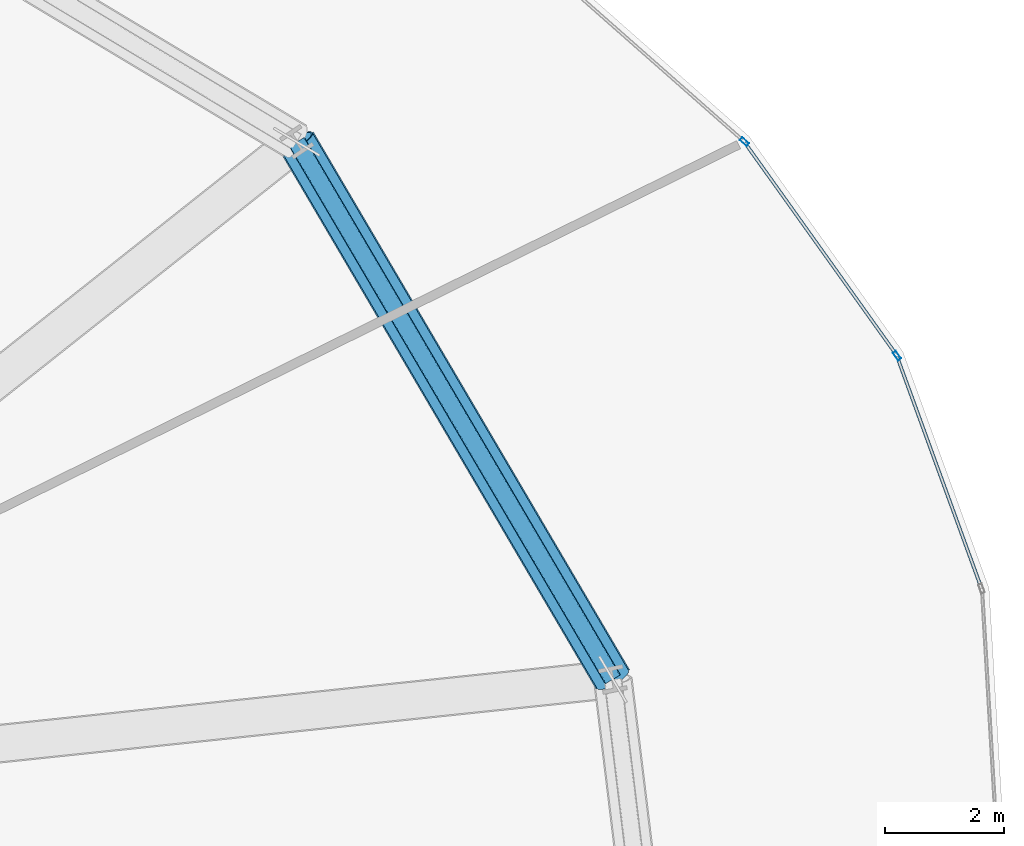
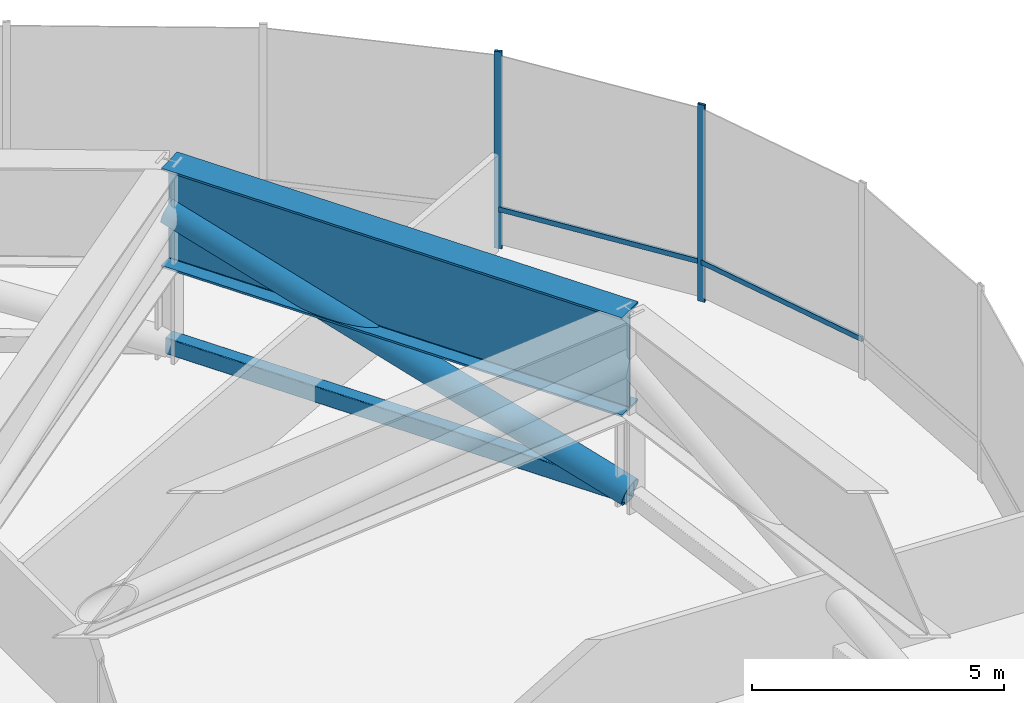
# One storey, part 23 of 33: 6 members, 1 beam, 1 element without a shape of its own.
"""IFC4 building model written with IfcOpenShell, lengths in metres."""

from ifc_helpers import new_model, si_unit, direction, frame, origin, origin_2d, place, context, subcontext, project, spatial, hollow_rectangle, hollow_circle, i_section, extrude, source, transform, mapped, material, layer, layer_set, material_profile, profile_set, type_object, element, aggregate, save


model = new_model("IFC4")

# Units and contexts
model_context = context("Model", 3, precision=1e-05, world=origin(), true_north=direction((0.0, 1.0)))
body_context = subcontext(model_context, "Body", "Model", "MODEL_VIEW")
ifc_project = project(units=[si_unit("LENGTHUNIT", "METRE"), si_unit("AREAUNIT", "SQUARE_METRE"), si_unit("VOLUMEUNIT", "CUBIC_METRE"), si_unit("PLANEANGLEUNIT", "RADIAN"), si_unit("MASSUNIT", "GRAM", prefix="KILO"), si_unit("THERMODYNAMICTEMPERATUREUNIT", "KELVIN")], contexts=[model_context])

# Site, building, storey
site_placement = place(None, origin())
site = spatial("IfcSite", under=ifc_project, at=site_placement, CompositionType="ELEMENT")
building_placement = place(site_placement, origin())
building = spatial("IfcBuilding", under=site, at=building_placement, Name="Kethvar Cultural Tower", CompositionType="ELEMENT")
storey_placement = place(building_placement, frame((0.0, 0.0, 80.39990234375)))
storey = spatial("IfcBuildingStorey", under=building, at=storey_placement, Name="L19", CompositionType="ELEMENT", Elevation=80.39990234375)

# Beam
ifc_material_1 = material(Name="Steel S460M", Category="steel")
ifc_material_profile_1 = material_profile(ifc_material_1, i_section(OverallWidth=0.64990234375, OverallDepth=2.39990234375, WebThickness=0.030029296875, FlangeThickness=0.048095703125, FilletRadius=0.02197265625, at=origin_2d()), Name="Steel S460M — PG2400x650x48x30")
ifc_profile_set_1 = profile_set([ifc_material_profile_1], Name="Steel S460M — PG2400x650x48x30")
beam_type = type_object("IfcBeamType", Name="BM-TR2400", PredefinedType="BEAM", material=ifc_profile_set_1)
shared_shape_1 = source(origin(), body_context, "Body", "SweptSolid", [
    extrude(i_section(OverallWidth=0.64990234375, OverallDepth=2.39990234375, WebThickness=0.030029296875, FlangeThickness=0.048095703125, FilletRadius=0.02197265625, at=origin_2d()), origin(), (0.0, 0.0, 1.0), 10.496337890625),
])
beam_placement = place(storey_placement, frame((73.65673828125, 33.14208984375, 3.55810546875), z_axis=(-0.506871712474, 0.862021500366, 0.0), x_axis=(-0.862021500366, -0.506871712474, 0.0)))
element("IfcBeam", 1, at=beam_placement, inside=storey, type_object=beam_type, Name="L19 Ring Belt Girder BG-01", PredefinedType="BEAM", context=body_context, shape_type="MappedRepresentation", body=[
    mapped(shared_shape_1, transform((0.0, 0.0, 0.0), scale=1.0)),
])

# Members
ifc_material_profile_2 = material_profile(ifc_material_1, hollow_rectangle(XDim=0.300048828125, YDim=0.39990234375, WallThickness=0.01611328125, InnerFilletRadius=0.01611328125, OuterFilletRadius=0.031982421875, at=origin_2d()), Name="Steel S460M — RHS400x300x16")
ifc_profile_set_2 = profile_set([ifc_material_profile_2], Name="Steel S460M — RHS400x300x16")
member_type_1 = type_object("IfcMemberType", Name="MB-CHD-400", PredefinedType="CHORD", material=ifc_profile_set_2)
shared_shape_2 = source(origin(), body_context, "Body", "SweptSolid", [
    extrude(hollow_rectangle(XDim=0.300048828125, YDim=0.39990234375, WallThickness=0.01611328125, InnerFilletRadius=0.01611328125, OuterFilletRadius=0.031982421875, at=origin_2d()), origin(), (0.0, 0.0, 1.0), 10.496337890625),
])
member_1_placement = place(storey_placement, frame((73.65673828125, 33.14208984375, 0.35009765625), z_axis=(-0.506871712474, 0.862021500366, 0.0), x_axis=(-0.862021500366, -0.506871712474, 0.0)))
element("IfcMember", 2, at=member_1_placement, inside=storey, type_object=member_type_1, Name="L19 Ring Belt Bottom Chord BC-01", PredefinedType="CHORD", context=body_context, shape_type="MappedRepresentation", body=[
    mapped(shared_shape_2, transform((0.0, 0.0, 0.0), scale=1.0)),
])
ifc_material_profile_3 = material_profile(ifc_material_1, hollow_circle(Radius=0.304931640625, WallThickness=0.02490234375, at=origin_2d()), Name="Steel S460M — CHS610x25")
ifc_profile_set_3 = profile_set([ifc_material_profile_3], Name="Steel S460M — CHS610x25")
member_type_2 = type_object("IfcMemberType", Name="MB-OUT-610", PredefinedType="BRACE", material=ifc_profile_set_3)
shared_shape_3 = source(origin(), body_context, "Body", "SweptSolid", [
    extrude(hollow_circle(Radius=0.304931640625, WallThickness=0.02490234375, at=origin_2d()), origin(), (0.0, 0.0, 1.0), 10.9755859375),
])
member_2_placement = place(storey_placement, frame((73.65673828125, 33.14208984375, 0.35009765625), z_axis=(-0.484737439479, 0.824378406964, 0.292283863563), x_axis=(-0.862021500366, -0.506871712474, 0.0)))
element("IfcMember", 3, at=member_2_placement, inside=storey, type_object=member_type_2, Name="L19 Ring Belt Diagonal BD-01", PredefinedType="BRACE", context=body_context, shape_type="MappedRepresentation", body=[
    mapped(shared_shape_3, transform((0.0, 0.0, 0.0), scale=1.0)),
])

# Curtain wall, members
ifc_material_2 = material(Name="Aluminium 6063-T6", Category="aluminium")
ifc_layer = layer(ifc_material_2, 0.179931640625, Name="Aluminium 6063-T6", Category="aluminium")
ifc_layer_set = layer_set([ifc_layer], Name="Aluminium 6063-T6 (180 mm)")
curtain_wall_type = type_object("IfcCurtainWallType", Name="CW-SYS-02-Z1", PredefinedType="NOTDEFINED", material=ifc_layer_set)
curtain_wall_placement = place(storey_placement, origin())
curtain_wall = element("IfcCurtainWall", 4, at=curtain_wall_placement, inside=storey, type_object=curtain_wall_type, Name="L19 Curtain Wall Run 01", PredefinedType="NOTDEFINED")
ifc_material_profile_4 = material_profile(ifc_material_2, hollow_rectangle(XDim=0.06494140625, YDim=0.159912109375, WallThickness=0.0048828125, at=origin_2d()), Name="Aluminium 6063-T6 — RHS160x65x5")
ifc_profile_set_4 = profile_set([ifc_material_profile_4], Name="Aluminium 6063-T6 — RHS160x65x5")
member_type_3 = type_object("IfcMemberType", Name="CW-SYS-02-Z1-MUL", PredefinedType="MULLION", material=ifc_profile_set_4)
shared_shape_4 = source(origin(), body_context, "Body", "SweptSolid", [
    extrude(hollow_rectangle(XDim=0.06494140625, YDim=0.159912109375, WallThickness=0.0048828125, at=origin_2d()), origin(), (0.0, 0.0, 1.0), 4.760009765625),
])
member_3_placement = place(storey_placement, frame((78.440185546875, 38.59033203125, 0.0), z_axis=(0.0, 0.0, 1.0), x_axis=(-0.813689622165, -0.581299577483, 0.0)))
member_3 = element("IfcMember", 5, at=member_3_placement, type_object=member_type_3, Name="CW-L19-R01 Mullion 2", PredefinedType="MULLION", context=body_context, shape_type="MappedRepresentation", body=[
    mapped(shared_shape_4, transform((0.0, 0.0, 0.0), scale=1.0)),
])
member_4_placement = place(storey_placement, frame((75.87109375, 42.191650390625, 0.0), z_axis=(0.0, 0.0, 1.0), x_axis=(-0.661285681105, -0.750134153312, 0.0)))
member_4 = element("IfcMember", 6, at=member_4_placement, type_object=member_type_3, Name="CW-L19-R01 Mullion 3", PredefinedType="MULLION", context=body_context, shape_type="MappedRepresentation", body=[
    mapped(shared_shape_4, transform((0.0, 0.0, 0.0), scale=1.0)),
])
ifc_material_profile_5 = material_profile(ifc_material_2, hollow_rectangle(XDim=0.054931640625, YDim=0.1201171875, WallThickness=0.00390625, at=origin_2d()), Name="Aluminium 6063-T6 — RHS120x55x4")
ifc_profile_set_5 = profile_set([ifc_material_profile_5], Name="Aluminium 6063-T6 — RHS120x55x4")
member_type_4 = type_object("IfcMemberType", Name="CW-SYS-02-Z1-TRN", PredefinedType="USERDEFINED", material=ifc_profile_set_5)
shared_shape_5 = source(origin(), body_context, "Body", "SweptSolid", [
    extrude(hollow_rectangle(XDim=0.054931640625, YDim=0.1201171875, WallThickness=0.00390625, at=origin_2d()), origin(), (0.0, 0.0, 1.0), 4.1494140625),
])
member_5_placement = place(storey_placement, frame((79.86083984375, 34.67626953125, 0.9501953125), z_axis=(-0.342196541337, 0.939628398409, 0.0), x_axis=(-0.939628398409, -0.342196541337, 0.0)))
member_5 = element("IfcMember", 7, at=member_5_placement, type_object=member_type_4, Name="CW-L19-R01 Transom 1", ObjectType="TRANSOM", PredefinedType="USERDEFINED", context=body_context, shape_type="MappedRepresentation", body=[
    mapped(shared_shape_5, transform((0.0, 0.0, 0.0), scale=1.0)),
])
shared_shape_6 = source(origin(), body_context, "Body", "SweptSolid", [
    extrude(hollow_rectangle(XDim=0.054931640625, YDim=0.1201171875, WallThickness=0.00390625, at=origin_2d()), origin(), (0.0, 0.0, 1.0), 4.357177734375),
])
member_6_placement = place(storey_placement, frame((78.412841796875, 38.62841796875, 0.9501953125), z_axis=(-0.581280595862, 0.813703182293, 0.0), x_axis=(-0.813703182293, -0.581280595862, 0.0)))
member_6 = element("IfcMember", 8, at=member_6_placement, type_object=member_type_4, Name="CW-L19-R01 Transom 2", ObjectType="TRANSOM", PredefinedType="USERDEFINED", context=body_context, shape_type="MappedRepresentation", body=[
    mapped(shared_shape_6, transform((0.0, 0.0, 0.0), scale=1.0)),
])
aggregate(curtain_wall, [member_3, member_4, member_5, member_6])

save(model, "model.ifc")
